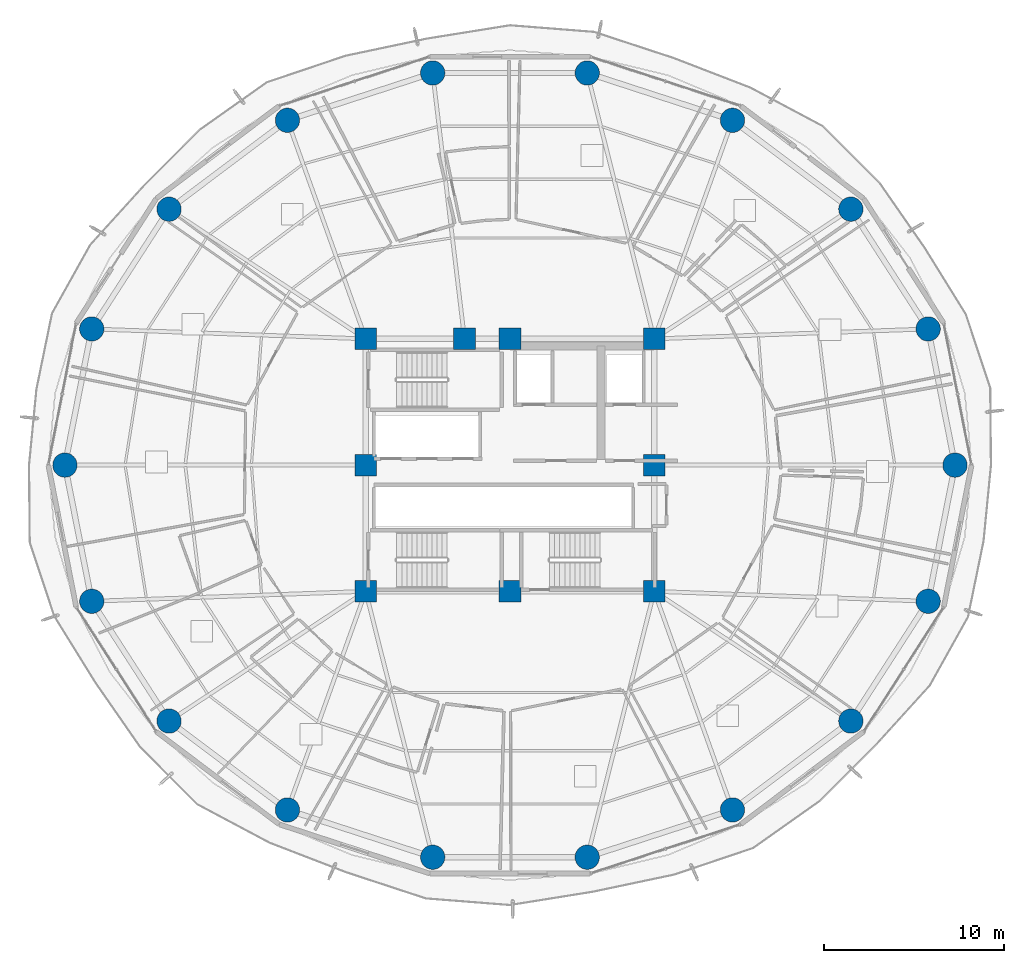
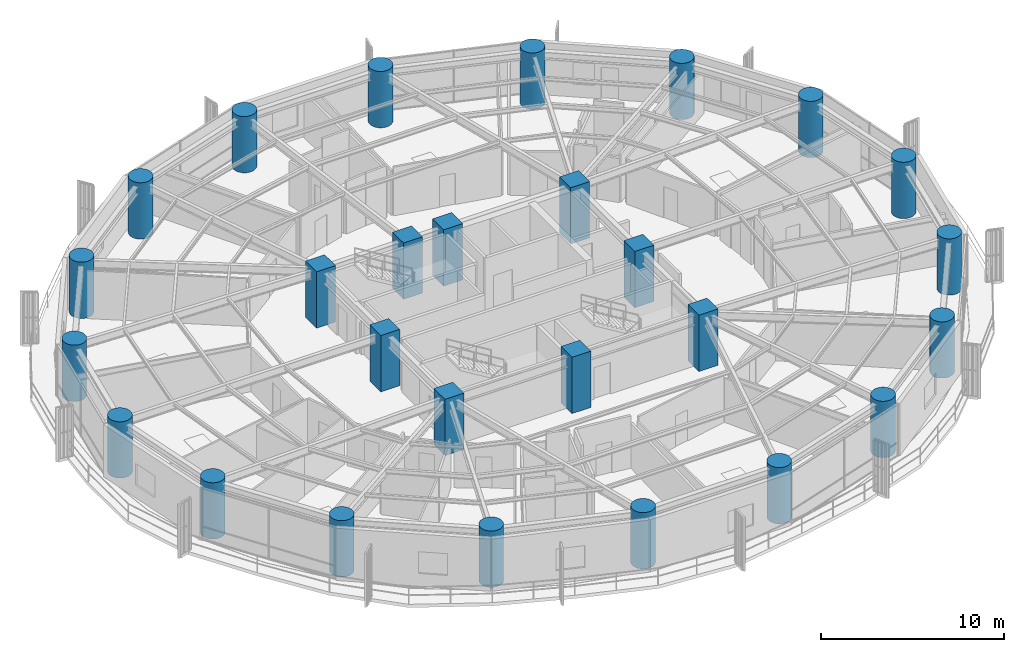
# One storey, part 1 of 35: 27 columns.
"""IFC4 building model written with IfcOpenShell, lengths in metres."""

from ifc_helpers import new_model, si_unit, direction, frame, origin, origin_2d, place, context, subcontext, project, spatial, rectangle, circle, extrude, material, material_profile, profile_set, type_object, element, save


model = new_model("IFC4")

# Units and contexts
model_context = context("Model", 3, precision=1e-05, world=origin(), true_north=direction((0.0, 1.0)))
body_context = subcontext(model_context, "Body", "Model", "MODEL_VIEW")
ifc_project = project(units=[si_unit("LENGTHUNIT", "METRE"), si_unit("AREAUNIT", "SQUARE_METRE"), si_unit("VOLUMEUNIT", "CUBIC_METRE"), si_unit("PLANEANGLEUNIT", "RADIAN"), si_unit("MASSUNIT", "GRAM", prefix="KILO")], contexts=[model_context])

# Site, building, storey
site_placement = place(None, origin())
site = spatial("IfcSite", under=ifc_project, at=site_placement, CompositionType="ELEMENT")
building_placement = place(site_placement, origin())
building = spatial("IfcBuilding", under=site, at=building_placement, Name="Kelanora Arch Commons", CompositionType="ELEMENT")
storey_placement = place(building_placement, frame((0.0, 0.0, 121.35009765625)))
storey = spatial("IfcBuildingStorey", under=building, at=storey_placement, Name="L31", CompositionType="ELEMENT", Elevation=121.35009765625)

# Columns
ifc_material = material(Name="Concrete C60/75", Category="concrete")
ifc_material_profile_1 = material_profile(ifc_material, circle(Radius=0.675048828125, at=origin_2d()), Name="RCC1350")
ifc_profile_set_1 = profile_set([ifc_material_profile_1], Name="Concrete C60/75")
column_type_1 = type_object("IfcColumnType", Name="COL-PERIM-Z2", PredefinedType="COLUMN", material=ifc_profile_set_1)
for number, where, z_axis, x_axis, name in (
    (1, (98.679931640625, 58.0, 0.0), (0.0, 0.0, 1.0), (1.0, 0.0, 0.0), "Perimeter Ring Column CP-00 L31"),
    (2, (97.191650390625, 65.5517578125, 0.0), (0.0, 0.0, 1.0), (1.0, 0.0, 0.0), "Perimeter Ring Column CP-02 L31"),
    (3, (92.906005859375, 72.19287109375, 0.0), (0.0, 0.0, 1.0), (1.0, 0.0, 0.0), "Perimeter Ring Column CP-04 L31"),
    (4, (86.340087890625, 77.121826171875, 0.0), (0.0, 0.0, 1.0), (1.0, 0.0, 0.0), "Perimeter Ring Column CP-06 L31"),
    (5, (78.28564453125, 79.74462890625, 0.0), (0.0, 0.0, 1.0), (1.0, 0.0, 0.0), "Perimeter Ring Column CP-08 L31"),
    (6, (69.71435546875, 79.74462890625, 0.0), (0.0, 0.0, 1.0), (1.0, 0.0, 0.0), "Perimeter Ring Column CP-10 L31"),
    (7, (61.659912109375, 77.121826171875, 0.0), (0.0, 0.0, 1.0), (1.0, 0.0, 0.0), "Perimeter Ring Column CP-12 L31"),
    (8, (55.093994140625, 72.19287109375, 0.0), (0.0, 0.0, 1.0), (1.0, 0.0, 0.0), "Perimeter Ring Column CP-14 L31"),
    (9, (50.808349609375, 65.5517578125, 0.0), (0.0, 0.0, 1.0), (1.0, 0.0, 0.0), "Perimeter Ring Column CP-16 L31"),
    (10, (49.320068359375, 58.0, 0.0), (0.0, 0.0, 1.0), (1.0, 0.0, 0.0), "Perimeter Ring Column CP-18 L31"),
    (11, (50.808349609375, 50.4482421875, 0.0), (0.0, 0.0, 1.0), (1.0, 0.0, 0.0), "Perimeter Ring Column CP-20 L31"),
    (12, (55.093994140625, 43.80712890625, 0.0), (0.0, 0.0, 1.0), (1.0, 0.0, 0.0), "Perimeter Ring Column CP-22 L31"),
    (13, (61.659912109375, 38.878173828125, 0.0), (0.0, 0.0, 1.0), (1.0, 0.0, 0.0), "Perimeter Ring Column CP-24 L31"),
    (14, (69.71435546875, 36.25537109375, 0.0), (0.0, 0.0, 1.0), (1.0, 0.0, 0.0), "Perimeter Ring Column CP-26 L31"),
    (15, (78.28564453125, 36.25537109375, 0.0), (0.0, 0.0, 1.0), (1.0, 0.0, 0.0), "Perimeter Ring Column CP-28 L31"),
    (16, (86.340087890625, 38.878173828125, 0.0), (0.0, 0.0, 1.0), (1.0, 0.0, 0.0), "Perimeter Ring Column CP-30 L31"),
    (17, (92.906005859375, 43.80712890625, 0.0), (0.0, 0.0, 1.0), (1.0, 0.0, 0.0), "Perimeter Ring Column CP-32 L31"),
    (18, (97.191650390625, 50.4482421875, 0.0), (0.0, 0.0, 1.0), (1.0, 0.0, 0.0), "Perimeter Ring Column CP-34 L31"),
):
    element("IfcColumn", number, at=place(storey_placement, frame(where, z_axis=z_axis, x_axis=x_axis)), inside=storey, type_object=column_type_1, Name=name, PredefinedType="COLUMN", context=body_context, shape_type="SweptSolid", body=[
        extrude(circle(Radius=0.675048828125, at=origin_2d()), origin(), (0.0, 0.0, 1.0), 3.75),
    ])
ifc_material_profile_2 = material_profile(ifc_material, rectangle(XDim=1.199951171875, YDim=1.199951171875, at=origin_2d()), Name="RC1200x1200")
ifc_profile_set_2 = profile_set([ifc_material_profile_2], Name="Concrete C60/75")
column_type_2 = type_object("IfcColumnType", Name="COL-PIL-MID", PredefinedType="PILASTER", material=ifc_profile_set_2)
for number, where, z_axis, x_axis, name in (
    (19, (66.0, 51.0, 0.0), (0.0, 0.0, 1.0), (1.0, 0.0, 0.0), "Core Pilaster Column CP1 L31"),
    (20, (74.0, 51.0, 0.0), (0.0, 0.0, 1.0), (1.0, 0.0, 0.0), "Core Pilaster Column CP2 L31"),
    (21, (82.0, 51.0, 0.0), (0.0, 0.0, 1.0), (1.0, 0.0, 0.0), "Core Pilaster Column CP3 L31"),
    (22, (82.0, 58.0, 0.0), (0.0, 0.0, 1.0), (1.0, 0.0, 0.0), "Core Pilaster Column CP4 L31"),
    (23, (82.0, 65.0, 0.0), (0.0, 0.0, 1.0), (1.0, 0.0, 0.0), "Core Pilaster Column CP5 L31"),
    (24, (74.0, 65.0, 0.0), (0.0, 0.0, 1.0), (1.0, 0.0, 0.0), "Core Pilaster Column CP6 L31"),
    (25, (71.47998046875, 65.0, 0.0), (0.0, 0.0, 1.0), (1.0, 0.0, 0.0), "Core Pilaster Column CP9 L31"),
    (26, (66.0, 65.0, 0.0), (0.0, 0.0, 1.0), (1.0, 0.0, 0.0), "Core Pilaster Column CP7 L31"),
    (27, (66.0, 58.0, 0.0), (0.0, 0.0, 1.0), (1.0, 0.0, 0.0), "Core Pilaster Column CP8 L31"),
):
    element("IfcColumn", number, at=place(storey_placement, frame(where, z_axis=z_axis, x_axis=x_axis)), inside=storey, type_object=column_type_2, Name=name, PredefinedType="PILASTER", context=body_context, shape_type="SweptSolid", body=[
        extrude(rectangle(XDim=1.199951171875, YDim=1.199951171875, at=origin_2d()), origin(), (0.0, 0.0, 1.0), 3.75),
    ])

save(model, "model.ifc")
